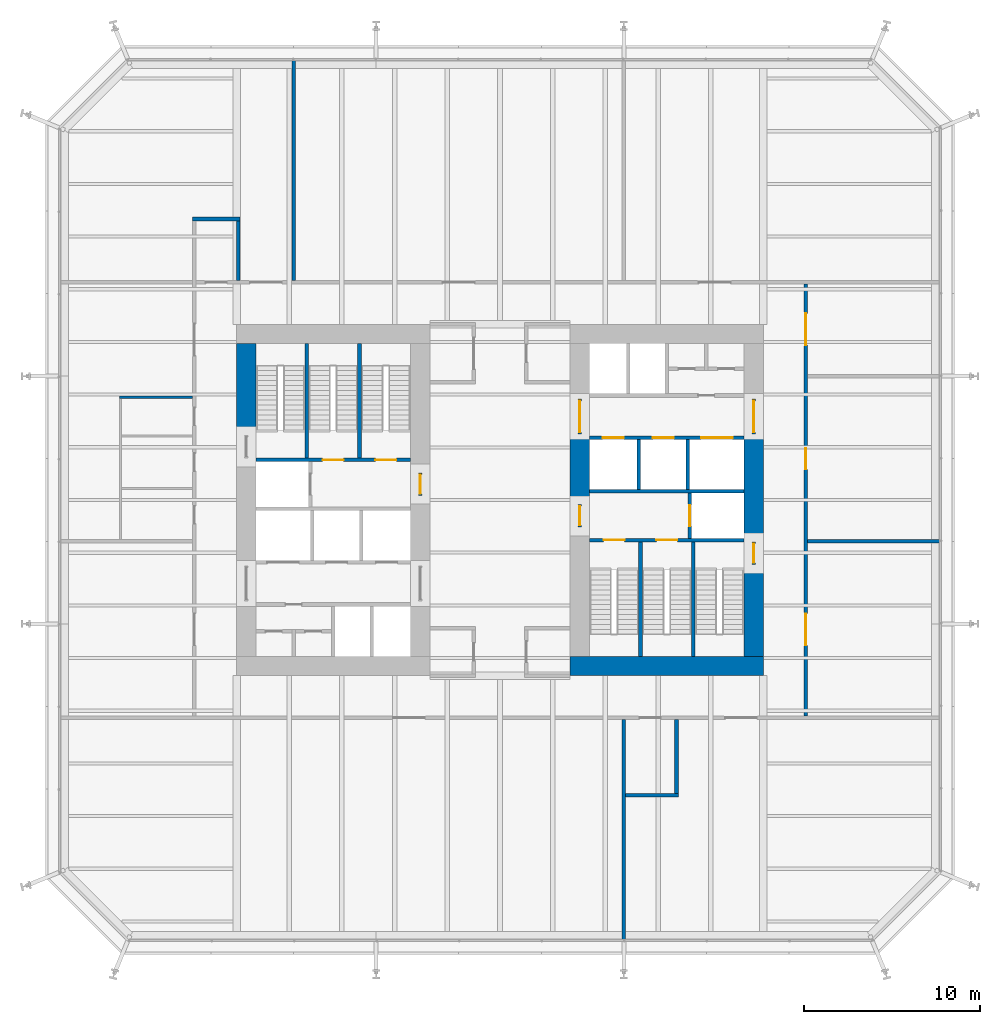
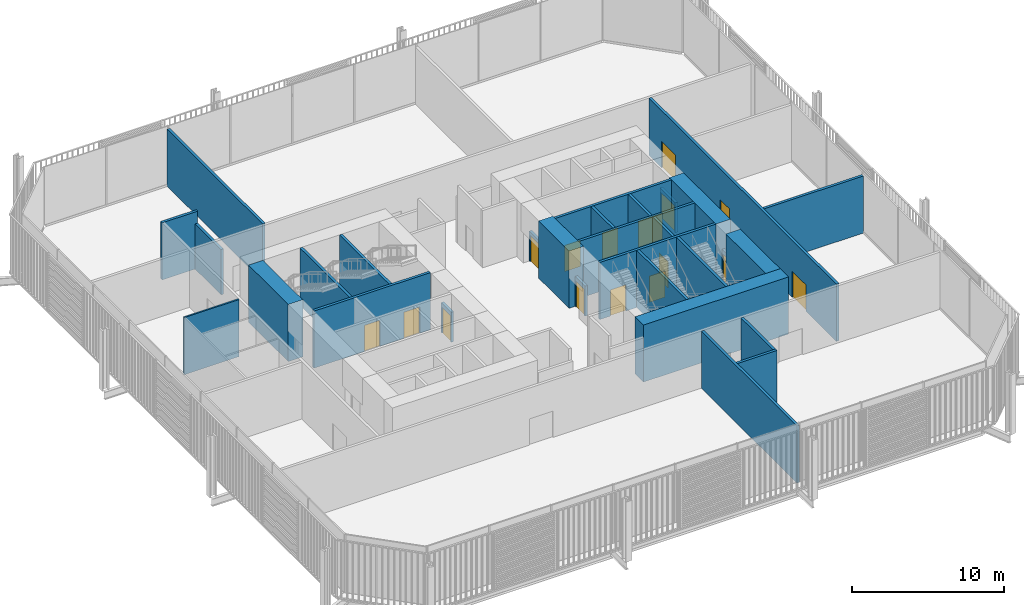
# One storey, part 19 of 22: 30 walls, 16 doors, 16 openings.
"""IFC4 building model written with IfcOpenShell, lengths in metres."""

from ifc_helpers import new_model, si_unit, direction, frame, frame_2d, origin, place, context, subcontext, project, spatial, rectangle, extrude, material, layer, layer_set, type_object, element, fill, save


model = new_model("IFC4")

# Units and contexts
model_context = context("Model", 3, precision=1e-05, world=origin(), true_north=direction((0.0, 1.0)))
body_context = subcontext(model_context, "Body", "Model", "MODEL_VIEW")
ifc_project = project(units=[si_unit("LENGTHUNIT", "METRE"), si_unit("AREAUNIT", "SQUARE_METRE"), si_unit("VOLUMEUNIT", "CUBIC_METRE"), si_unit("PLANEANGLEUNIT", "RADIAN"), si_unit("MASSUNIT", "GRAM", prefix="KILO")], contexts=[model_context])

# Site, building, storey
site_placement = place(None, origin())
site = spatial("IfcSite", under=ifc_project, at=site_placement, CompositionType="ELEMENT")
building_placement = place(site_placement, origin())
building = spatial("IfcBuilding", under=site, at=building_placement, Name="Millrace Tower", CompositionType="ELEMENT")
storey_placement = place(building_placement, frame((0.0, 0.0, 49.699951171875)))
storey = spatial("IfcBuildingStorey", under=building, at=storey_placement, Name="L11", CompositionType="ELEMENT", Elevation=49.699951171875)

# Walls
ifc_material_1 = material(Name="Concrete C80", Category="concrete")
ifc_layer_1 = layer(ifc_material_1, 1.10009765625)
ifc_layer_set_1 = layer_set([ifc_layer_1], Name="Concrete C80")
wall_type_1 = type_object("IfcWallType", Name="Core wall 1100 Concrete C80", PredefinedType="SHEAR", material=ifc_layer_set_1)
wall_1_placement = place(storey_placement, frame((-14.449951171875, 3.679931640625, 0.0), z_axis=(0.0, 0.0, 1.0), x_axis=(0.0, 1.0, 0.0)))
element("IfcWall", 1, at=wall_1_placement, inside=storey, type_object=wall_type_1, Name="Core wall W L11", PredefinedType="SHEAR", context=body_context, shape_type="SweptSolid", body=[
    extrude(rectangle(XDim=5.219970703125, YDim=1.10009765625, at=frame_2d((2.60986328125, 0.0))), origin(), (0.0, 0.0, 1.0), 4.574951171875),
])
wall_2_placement = place(storey_placement, frame((15.0, -9.449951171875, 0.0), z_axis=(0.0, 0.0, 1.0), x_axis=(-1.0, 0.0, 0.0)))
element("IfcWall", 2, at=wall_2_placement, inside=storey, type_object=wall_type_1, Name="Core wall E L11", PredefinedType="SHEAR", context=body_context, shape_type="SweptSolid", body=[
    extrude(rectangle(XDim=11.0, YDim=1.10009765625, at=frame_2d((5.5, 0.0))), origin(), (0.0, 0.0, 1.0), 4.574951171875),
])
wall_3_placement = place(storey_placement, frame((14.449951171875, 3.75, 0.0), z_axis=(0.0, 0.0, 1.0), x_axis=(0.0, -1.0, 0.0)))
element("IfcWall", 3, at=wall_3_placement, inside=storey, type_object=wall_type_1, Name="Core wall E L11", PredefinedType="SHEAR", context=body_context, shape_type="SweptSolid", body=[
    extrude(rectangle(XDim=6.1298828125, YDim=1.10009765625, at=frame_2d((3.06494140625, 0.0))), origin(), (0.0, 0.0, 1.0), 4.574951171875),
])
wall_4_placement = place(storey_placement, frame((14.449951171875, -3.679931640625, 0.0), z_axis=(0.0, 0.0, 1.0), x_axis=(0.0, -1.0, 0.0)))
element("IfcWall", 4, at=wall_4_placement, inside=storey, type_object=wall_type_1, Name="Core wall E L11", PredefinedType="SHEAR", context=body_context, shape_type="SweptSolid", body=[
    extrude(rectangle(XDim=5.219970703125, YDim=1.10009765625, at=frame_2d((2.60986328125, 0.0))), origin(), (0.0, 0.0, 1.0), 4.574951171875),
])
wall_5_placement = place(storey_placement, frame((4.550048828125, 3.75, 0.0), z_axis=(0.0, 0.0, 1.0), x_axis=(0.0, -1.0, 0.0)))
element("IfcWall", 5, at=wall_5_placement, inside=storey, type_object=wall_type_1, Name="Core wall E L11", PredefinedType="SHEAR", context=body_context, shape_type="SweptSolid", body=[
    extrude(rectangle(XDim=4.0, YDim=1.10009765625, at=frame_2d((2.0, 0.0))), origin(), (0.0, 0.0, 1.0), 4.574951171875),
])
ifc_material_2 = material(Name="Masonry partition, fire-rated", Category="masonry")
ifc_layer_2 = layer(ifc_material_2, 0.199951171875)
ifc_layer_set_2 = layer_set([ifc_layer_2], Name="Masonry partition, fire-rated")
wall_type_2 = type_object("IfcWallType", Name="Corridor wall 200", PredefinedType="PARTITIONING", material=ifc_layer_set_2)
wall_6_placement = place(storey_placement, frame((7.14990234375, -16.800048828125, 0.0), z_axis=(0.0, 0.0, 1.0), x_axis=(1.0, 0.0, 0.0)))
element("IfcWall", 6, at=wall_6_placement, inside=storey, type_object=wall_type_2, Name="Corridor wall L11", PredefinedType="PARTITIONING", context=body_context, shape_type="SweptSolid", body=[
    extrude(rectangle(XDim=3.0, YDim=0.199951171875, at=frame_2d((1.5, 0.0))), origin(), (0.0, 0.0, 1.0), 4.574951171875),
])
wall_7_placement = place(storey_placement, frame((17.5, -2.35009765625, 0.0), z_axis=(0.0, 0.0, 1.0), x_axis=(1.0, 0.0, 0.0)))
element("IfcWall", 7, at=wall_7_placement, inside=storey, type_object=wall_type_2, Name="Corridor wall L11", PredefinedType="PARTITIONING", context=body_context, shape_type="SweptSolid", body=[
    extrude(rectangle(XDim=7.530029296875, YDim=0.199951171875, at=frame_2d((3.76513671875, 0.0))), origin(), (0.0, 0.0, 1.0), 4.574951171875),
])
wall_8_placement = place(storey_placement, frame((-17.5, 16.0, 0.0), z_axis=(0.0, 0.0, 1.0), x_axis=(1.0, 0.0, 0.0)))
element("IfcWall", 8, at=wall_8_placement, inside=storey, type_object=wall_type_2, Name="Corridor wall L11", PredefinedType="PARTITIONING", context=body_context, shape_type="SweptSolid", body=[
    extrude(rectangle(XDim=2.699951171875, YDim=0.199951171875, at=frame_2d((1.35009765625, 0.0))), origin(), (0.0, 0.0, 1.0), 4.574951171875),
])

# Wall, openings, doors
wall_9_placement = place(storey_placement, frame((17.39990234375, -12.300048828125, 0.0), z_axis=(0.0, 0.0, 1.0), x_axis=(0.0, 1.0, 0.0)))
wall_9 = element("IfcWall", 9, at=wall_9_placement, inside=storey, type_object=wall_type_2, Name="Corridor wall L11", PredefinedType="PARTITIONING", context=body_context, shape_type="SweptSolid", body=[
    extrude(rectangle(XDim=24.60009765625, YDim=0.199951171875, at=frame_2d((12.300048828125, 0.0))), origin(), (0.0, 0.0, 1.0), 4.574951171875),
])
opening_1_placement = place(wall_9_placement, frame((4.02490234375, 0.0, 0.0)))
opening_1 = element("IfcOpeningElement", 10, at=opening_1_placement, cuts=wall_9, Name="Opening 11-P012", PredefinedType="OPENING", context=body_context, shape_type="SweptSolid", body=[
    extrude(rectangle(XDim=1.800048828125, YDim=2.10009765625, at=frame_2d((0.89990234375, 1.050048828125))), frame((0.0, 0.10986328125, 0.0), z_axis=(0.0, -1.0, 0.0), x_axis=(1.0, 0.0, 0.0)), (0.0, 0.0, 1.0), 0.219970703125),
])
opening_2_placement = place(wall_9_placement, frame((14.050048828125, 0.0, 0.0)))
opening_2 = element("IfcOpeningElement", 11, at=opening_2_placement, cuts=wall_9, Name="Opening 11-P013", PredefinedType="OPENING", context=body_context, shape_type="SweptSolid", body=[
    extrude(rectangle(XDim=1.199951171875, YDim=2.10009765625, at=frame_2d((0.60009765625, 1.050048828125))), frame((0.0, 0.10986328125, 0.0), z_axis=(0.0, -1.0, 0.0), x_axis=(1.0, 0.0, 0.0)), (0.0, 0.0, 1.0), 0.219970703125),
])
opening_3_placement = place(wall_9_placement, frame((21.125, 0.0, 0.0)))
opening_3 = element("IfcOpeningElement", 12, at=opening_3_placement, cuts=wall_9, Name="Opening 11-P014", PredefinedType="OPENING", context=body_context, shape_type="SweptSolid", body=[
    extrude(rectangle(XDim=1.800048828125, YDim=2.10009765625, at=frame_2d((0.89990234375, 1.050048828125))), frame((0.0, 0.10986328125, 0.0), z_axis=(0.0, -1.0, 0.0), x_axis=(1.0, 0.0, 0.0)), (0.0, 0.0, 1.0), 0.219970703125),
])
ifc_material_3 = material(Name="Steel door set, fire-rated", Category="steel")
door_type_1 = type_object("IfcDoorType", Name="Corridor door 1200 x 2100", OperationType="SINGLE_SWING_LEFT", PredefinedType="DOOR", material=ifc_material_3)
door_1_placement = place(opening_2_placement, frame((1.199951171875, 0.0, 0.0), z_axis=(0.0, 0.0, 1.0), x_axis=(-1.0, 0.0, 0.0)))
door_1 = element("IfcDoor", 13, at=door_1_placement, inside=storey, type_object=door_type_1, Name="Door 11-P013", OperationType="SINGLE_SWING_LEFT", OverallHeight=2.10009765625, OverallWidth=1.199951171875, PredefinedType="DOOR", context=body_context, shape_type="SweptSolid", body=[
    extrude(rectangle(XDim=1.199951171875, YDim=2.10009765625, at=frame_2d((0.60009765625, 1.050048828125))), frame((0.0, 0.02490234375, 0.0), z_axis=(0.0, -1.0, 0.0), x_axis=(1.0, 0.0, 0.0)), (0.0, 0.0, 1.0), 0.050048828125),
])
fill(opening_2, door_1)
ifc_material_4 = material(Name="Steel door set, fire-rated", Category="steel")
door_type_2 = type_object("IfcDoorType", Name="Data hall door 1800 x 2100", OperationType="DOUBLE_DOOR_SINGLE_SWING", PredefinedType="DOOR", material=ifc_material_4)
door_2_placement = place(opening_1_placement, frame((1.800048828125, 0.0, 0.0), z_axis=(0.0, 0.0, 1.0), x_axis=(-1.0, 0.0, 0.0)))
door_2 = element("IfcDoor", 14, at=door_2_placement, inside=storey, type_object=door_type_2, Name="Door 11-P012", OperationType="DOUBLE_DOOR_SINGLE_SWING", OverallHeight=2.10009765625, OverallWidth=1.800048828125, PredefinedType="DOOR", context=body_context, shape_type="SweptSolid", body=[
    extrude(rectangle(XDim=1.800048828125, YDim=2.10009765625, at=frame_2d((0.89990234375, 1.050048828125))), frame((0.0, 0.02490234375, 0.0), z_axis=(0.0, -1.0, 0.0), x_axis=(1.0, 0.0, 0.0)), (0.0, 0.0, 1.0), 0.050048828125),
])
fill(opening_1, door_2)
door_3_placement = place(opening_3_placement, frame((1.800048828125, 0.0, 0.0), z_axis=(0.0, 0.0, 1.0), x_axis=(-1.0, 0.0, 0.0)))
door_3 = element("IfcDoor", 15, at=door_3_placement, inside=storey, type_object=door_type_2, Name="Door 11-P014", OperationType="DOUBLE_DOOR_SINGLE_SWING", OverallHeight=2.10009765625, OverallWidth=1.800048828125, PredefinedType="DOOR", context=body_context, shape_type="SweptSolid", body=[
    extrude(rectangle(XDim=1.800048828125, YDim=2.10009765625, at=frame_2d((0.89990234375, 1.050048828125))), frame((0.0, 0.02490234375, 0.0), z_axis=(0.0, -1.0, 0.0), x_axis=(1.0, 0.0, 0.0)), (0.0, 0.0, 1.0), 0.050048828125),
])
fill(opening_3, door_3)

# Walls
wall_10_placement = place(storey_placement, frame((10.050048828125, -16.699951171875, 0.0), z_axis=(0.0, 0.0, 1.0), x_axis=(0.0, 1.0, 0.0)))
element("IfcWall", 16, at=wall_10_placement, inside=storey, type_object=wall_type_2, Name="Corridor wall L11", PredefinedType="PARTITIONING", context=body_context, shape_type="SweptSolid", body=[
    extrude(rectangle(XDim=4.199951171875, YDim=0.199951171875, at=frame_2d((2.10009765625, 0.0))), origin(), (0.0, 0.0, 1.0), 4.574951171875),
])
for number, where, z_axis, x_axis, name in (
    (17, (7.050048828125, -25.030029296875, 0.0), (0.0, 0.0, 1.0), (0.0, 1.0, 0.0), "Corridor wall L11"),
    (18, (-11.75, 12.5, 0.0), (0.0, 0.0, 1.0), (0.0, 1.0, 0.0), "Corridor wall L11"),
):
    element("IfcWall", number, at=place(storey_placement, frame(where, z_axis=z_axis, x_axis=x_axis)), inside=storey, type_object=wall_type_2, Name=name, PredefinedType="PARTITIONING", context=body_context, shape_type="SweptSolid", body=[
        extrude(rectangle(XDim=12.530029296875, YDim=0.199951171875, at=frame_2d((6.26513671875, 0.0))), origin(), (0.0, 0.0, 1.0), 4.574951171875),
    ])
wall_11_placement = place(storey_placement, frame((-14.89990234375, 12.5, 0.0), z_axis=(0.0, 0.0, 1.0), x_axis=(0.0, 1.0, 0.0)))
element("IfcWall", 19, at=wall_11_placement, inside=storey, type_object=wall_type_2, Name="Corridor wall L11", PredefinedType="PARTITIONING", context=body_context, shape_type="SweptSolid", body=[
    extrude(rectangle(XDim=3.39990234375, YDim=0.199951171875, at=frame_2d((1.699951171875, 0.0))), origin(), (0.0, 0.0, 1.0), 3.627685546875),
])

# Wall, openings, doors
ifc_material_5 = material(Name="Masonry partition, fire-rated", Category="masonry")
ifc_layer_3 = layer(ifc_material_5, 0.199951171875)
ifc_layer_set_3 = layer_set([ifc_layer_3], Name="Masonry partition, fire-rated")
wall_type_3 = type_object("IfcWallType", Name="Lift shaft wall 200", PredefinedType="PARTITIONING", material=ifc_layer_set_3)
wall_12_placement = place(storey_placement, frame((13.89990234375, 3.550048828125, 0.0), z_axis=(0.0, 0.0, 1.0), x_axis=(-1.0, 0.0, 0.0)))
wall_12 = element("IfcWall", 20, at=wall_12_placement, inside=storey, type_object=wall_type_3, Name="Lift shaft wall E L11", PredefinedType="PARTITIONING", context=body_context, shape_type="SweptSolid", body=[
    extrude(rectangle(XDim=8.7998046875, YDim=0.199951171875, at=frame_2d((4.39990234375, 0.0))), origin(), (0.0, 0.0, 1.0), 4.574951171875),
])
opening_4_placement = place(wall_12_placement, frame((0.64990234375, 0.0, 0.0)))
opening_4 = element("IfcOpeningElement", 21, at=opening_4_placement, cuts=wall_12, Name="Opening 11-LD13", PredefinedType="OPENING", context=body_context, shape_type="SweptSolid", body=[
    extrude(rectangle(XDim=1.800048828125, YDim=2.10009765625, at=frame_2d((0.89990234375, 1.050048828125))), frame((0.0, 0.10986328125, 0.0), z_axis=(0.0, -1.0, 0.0), x_axis=(1.0, 0.0, 0.0)), (0.0, 0.0, 1.0), 0.219970703125),
])
opening_5_placement = place(wall_12_placement, frame((4.0, 0.0, 0.0)))
opening_5 = element("IfcOpeningElement", 22, at=opening_5_placement, cuts=wall_12, Name="Opening 11-LD14", PredefinedType="OPENING", context=body_context, shape_type="SweptSolid", body=[
    extrude(rectangle(XDim=1.199951171875, YDim=2.10009765625, at=frame_2d((0.60009765625, 1.050048828125))), frame((0.0, 0.10986328125, 0.0), z_axis=(0.0, -1.0, 0.0), x_axis=(1.0, 0.0, 0.0)), (0.0, 0.0, 1.0), 0.219970703125),
])
opening_6_placement = place(wall_12_placement, frame((6.85009765625, 0.0, 0.0)))
opening_6 = element("IfcOpeningElement", 23, at=opening_6_placement, cuts=wall_12, Name="Opening 11-LD15", PredefinedType="OPENING", context=body_context, shape_type="SweptSolid", body=[
    extrude(rectangle(XDim=1.199951171875, YDim=2.10009765625, at=frame_2d((0.60009765625, 1.050048828125))), frame((0.0, 0.10986328125, 0.0), z_axis=(0.0, -1.0, 0.0), x_axis=(1.0, 0.0, 0.0)), (0.0, 0.0, 1.0), 0.219970703125),
])
ifc_material_6 = material(Name="Stainless steel, fire-rated", Category="steel")
door_type_3 = type_object("IfcDoorType", Name="Lift landing door 1200 x 2100", OperationType="DOUBLE_DOOR_SLIDING", PredefinedType="DOOR", material=ifc_material_6)
door_4_placement = place(opening_5_placement, origin())
door_4 = element("IfcDoor", 24, at=door_4_placement, inside=storey, type_object=door_type_3, Name="Lift landing door LF14 L11", OperationType="DOUBLE_DOOR_SLIDING", OverallHeight=2.10009765625, OverallWidth=1.199951171875, PredefinedType="DOOR", context=body_context, shape_type="SweptSolid", body=[
    extrude(rectangle(XDim=1.199951171875, YDim=2.10009765625, at=frame_2d((0.60009765625, 1.050048828125))), frame((0.0, 0.02490234375, 0.0), z_axis=(0.0, -1.0, 0.0), x_axis=(1.0, 0.0, 0.0)), (0.0, 0.0, 1.0), 0.050048828125),
])
fill(opening_5, door_4)
door_5_placement = place(opening_6_placement, origin())
door_5 = element("IfcDoor", 25, at=door_5_placement, inside=storey, type_object=door_type_3, Name="Lift landing door LF15 L11", OperationType="DOUBLE_DOOR_SLIDING", OverallHeight=2.10009765625, OverallWidth=1.199951171875, PredefinedType="DOOR", context=body_context, shape_type="SweptSolid", body=[
    extrude(rectangle(XDim=1.199951171875, YDim=2.10009765625, at=frame_2d((0.60009765625, 1.050048828125))), frame((0.0, 0.02490234375, 0.0), z_axis=(0.0, -1.0, 0.0), x_axis=(1.0, 0.0, 0.0)), (0.0, 0.0, 1.0), 0.050048828125),
])
fill(opening_6, door_5)
ifc_material_7 = material(Name="Stainless steel, fire-rated", Category="steel")
door_type_4 = type_object("IfcDoorType", Name="Lift landing door 1800 x 2100", OperationType="DOUBLE_DOOR_SLIDING", PredefinedType="DOOR", material=ifc_material_7)
door_6_placement = place(opening_4_placement, origin())
door_6 = element("IfcDoor", 26, at=door_6_placement, inside=storey, type_object=door_type_4, Name="Lift landing door LF13 L11", OperationType="DOUBLE_DOOR_SLIDING", OverallHeight=2.10009765625, OverallWidth=1.800048828125, PredefinedType="DOOR", context=body_context, shape_type="SweptSolid", body=[
    extrude(rectangle(XDim=1.800048828125, YDim=2.10009765625, at=frame_2d((0.89990234375, 1.050048828125))), frame((0.0, 0.02490234375, 0.0), z_axis=(0.0, -1.0, 0.0), x_axis=(1.0, 0.0, 0.0)), (0.0, 0.0, 1.0), 0.050048828125),
])
fill(opening_4, door_6)

# Wall
wall_13_placement = place(storey_placement, frame((13.89990234375, 0.5, 0.0), z_axis=(0.0, 0.0, 1.0), x_axis=(-1.0, 0.0, 0.0)))
element("IfcWall", 27, at=wall_13_placement, inside=storey, type_object=wall_type_3, Name="Lift shaft wall E L11", PredefinedType="PARTITIONING", context=body_context, shape_type="SweptSolid", body=[
    extrude(rectangle(XDim=8.7998046875, YDim=0.199951171875, at=frame_2d((4.39990234375, 0.0))), origin(), (0.0, 0.0, 1.0), 4.574951171875),
])

# Wall, opening, door
wall_14_placement = place(storey_placement, frame((10.800048828125, 0.39990234375, 0.0), z_axis=(0.0, 0.0, 1.0), x_axis=(0.0, -1.0, 0.0)))
wall_14 = element("IfcWall", 28, at=wall_14_placement, inside=storey, type_object=wall_type_3, Name="Lift shaft wall E L11", PredefinedType="PARTITIONING", context=body_context, shape_type="SweptSolid", body=[
    extrude(rectangle(XDim=2.579833984375, YDim=0.199951171875, at=frame_2d((1.2900390625, 0.0))), origin(), (0.0, 0.0, 1.0), 4.574951171875),
])
opening_7_placement = place(wall_14_placement, frame((0.68994140625, 0.0, 0.0)))
opening_7 = element("IfcOpeningElement", 29, at=opening_7_placement, cuts=wall_14, Name="Opening 11-LD16", PredefinedType="OPENING", context=body_context, shape_type="SweptSolid", body=[
    extrude(rectangle(XDim=1.199951171875, YDim=2.10009765625, at=frame_2d((0.60009765625, 1.050048828125))), frame((0.0, 0.10986328125, 0.0), z_axis=(0.0, -1.0, 0.0), x_axis=(1.0, 0.0, 0.0)), (0.0, 0.0, 1.0), 0.219970703125),
])
door_7_placement = place(opening_7_placement, origin())
door_7 = element("IfcDoor", 30, at=door_7_placement, inside=storey, type_object=door_type_3, Name="Lift landing door LF16 L11", OperationType="DOUBLE_DOOR_SLIDING", OverallHeight=2.10009765625, OverallWidth=1.199951171875, PredefinedType="DOOR", context=body_context, shape_type="SweptSolid", body=[
    extrude(rectangle(XDim=1.199951171875, YDim=2.10009765625, at=frame_2d((0.60009765625, 1.050048828125))), frame((0.0, 0.02490234375, 0.0), z_axis=(0.0, -1.0, 0.0), x_axis=(1.0, 0.0, 0.0)), (0.0, 0.0, 1.0), 0.050048828125),
])
fill(opening_7, door_7)

# Walls
for number, where, z_axis, x_axis, name in (
    (31, (10.699951171875, 3.449951171875, 0.0), (0.0, 0.0, 1.0), (0.0, -1.0, 0.0), "Lift shaft wall E L11"),
    (32, (7.89990234375, 3.449951171875, 0.0), (0.0, 0.0, 1.0), (0.0, -1.0, 0.0), "Lift shaft wall E L11"),
):
    element("IfcWall", number, at=place(storey_placement, frame(where, z_axis=z_axis, x_axis=x_axis)), inside=storey, type_object=wall_type_3, Name=name, PredefinedType="PARTITIONING", context=body_context, shape_type="SweptSolid", body=[
        extrude(rectangle(XDim=2.849853515625, YDim=0.199951171875, at=frame_2d((1.4248046875, 0.0))), origin(), (0.0, 0.0, 1.0), 4.574951171875),
    ])

# Wall, opening, door
ifc_material_8 = material(Name="Masonry partition, fire-rated", Category="masonry")
ifc_layer_4 = layer(ifc_material_8, 0.199951171875)
ifc_layer_set_4 = layer_set([ifc_layer_4], Name="Masonry partition, fire-rated")
wall_type_4 = type_object("IfcWallType", Name="Lobby wall 200", PredefinedType="PARTITIONING", material=ifc_layer_set_4)
wall_15_placement = place(storey_placement, frame((-4.550048828125, 0.25, 0.0), z_axis=(0.0, 0.0, 1.0), x_axis=(0.0, 1.0, 0.0)))
wall_15 = element("IfcWall", 33, at=wall_15_placement, inside=storey, type_object=wall_type_4, Name="Lobby wall W L11", PredefinedType="PARTITIONING", context=body_context, shape_type="SweptSolid", body=[
    extrude(rectangle(XDim=1.300048828125, YDim=0.199951171875, at=frame_2d((0.64990234375, 0.0))), origin(), (0.0, 0.0, 1.0), 2.400146484375),
])
opening_8_placement = place(wall_15_placement, frame((0.10009765625, 0.0, 0.0)))
opening_8 = element("IfcOpeningElement", 34, at=opening_8_placement, cuts=wall_15, Name="Opening 11-C004", PredefinedType="OPENING", context=body_context, shape_type="SweptSolid", body=[
    extrude(rectangle(XDim=1.10009765625, YDim=2.10009765625, at=frame_2d((0.550048828125, 1.050048828125))), frame((0.0, 0.10986328125, 0.0), z_axis=(0.0, -1.0, 0.0), x_axis=(1.0, 0.0, 0.0)), (0.0, 0.0, 1.0), 0.219970703125),
])
ifc_material_9 = material(Name="Steel door, fire-rated", Category="steel")
door_type_5 = type_object("IfcDoorType", Name="Lobby door 1100 x 2100", OperationType="SINGLE_SWING_LEFT", PredefinedType="DOOR", material=ifc_material_9)
door_8_placement = place(opening_8_placement, origin())
door_8 = element("IfcDoor", 35, at=door_8_placement, inside=storey, type_object=door_type_5, Name="Lobby door 11-C004", OperationType="SINGLE_SWING_LEFT", OverallHeight=2.10009765625, OverallWidth=1.10009765625, PredefinedType="DOOR", context=body_context, shape_type="SweptSolid", body=[
    extrude(rectangle(XDim=1.10009765625, YDim=2.10009765625, at=frame_2d((0.550048828125, 1.050048828125))), frame((0.0, 0.02490234375, 0.0), z_axis=(0.0, -1.0, 0.0), x_axis=(1.0, 0.0, 0.0)), (0.0, 0.0, 1.0), 0.050048828125),
])
fill(opening_8, door_8)

wall_16_placement = place(storey_placement, frame((14.449951171875, 5.75, 0.0), z_axis=(0.0, 0.0, 1.0), x_axis=(0.0, -1.0, 0.0)))
wall_16 = element("IfcWall", 36, at=wall_16_placement, inside=storey, type_object=wall_type_4, Name="Lobby wall E L11", PredefinedType="PARTITIONING", context=body_context, shape_type="SweptSolid", body=[
    extrude(rectangle(XDim=2.0, YDim=0.199951171875, at=frame_2d((1.0, 0.0))), origin(), (0.0, 0.0, 1.0), 2.400146484375),
])
opening_9_placement = place(wall_16_placement, frame((0.10009765625, 0.0, 0.0)))
opening_9 = element("IfcOpeningElement", 37, at=opening_9_placement, cuts=wall_16, Name="Opening 11-C010", PredefinedType="OPENING", context=body_context, shape_type="SweptSolid", body=[
    extrude(rectangle(XDim=1.800048828125, YDim=2.10009765625, at=frame_2d((0.89990234375, 1.050048828125))), frame((0.0, 0.10986328125, 0.0), z_axis=(0.0, -1.0, 0.0), x_axis=(1.0, 0.0, 0.0)), (0.0, 0.0, 1.0), 0.219970703125),
])
ifc_material_10 = material(Name="Steel door, fire-rated", Category="steel")
door_type_6 = type_object("IfcDoorType", Name="Lobby door 1800 x 2100", OperationType="DOUBLE_DOOR_SINGLE_SWING", PredefinedType="DOOR", material=ifc_material_10)
door_9_placement = place(opening_9_placement, origin())
door_9 = element("IfcDoor", 38, at=door_9_placement, inside=storey, type_object=door_type_6, Name="Lobby door 11-C010", OperationType="DOUBLE_DOOR_SINGLE_SWING", OverallHeight=2.10009765625, OverallWidth=1.800048828125, PredefinedType="DOOR", context=body_context, shape_type="SweptSolid", body=[
    extrude(rectangle(XDim=1.800048828125, YDim=2.10009765625, at=frame_2d((0.89990234375, 1.050048828125))), frame((0.0, 0.02490234375, 0.0), z_axis=(0.0, -1.0, 0.0), x_axis=(1.0, 0.0, 0.0)), (0.0, 0.0, 1.0), 0.050048828125),
])
fill(opening_9, door_9)

wall_17_placement = place(storey_placement, frame((4.550048828125, 5.75, 0.0), z_axis=(0.0, 0.0, 1.0), x_axis=(0.0, -1.0, 0.0)))
wall_17 = element("IfcWall", 39, at=wall_17_placement, inside=storey, type_object=wall_type_4, Name="Lobby wall E L11", PredefinedType="PARTITIONING", context=body_context, shape_type="SweptSolid", body=[
    extrude(rectangle(XDim=2.0, YDim=0.199951171875, at=frame_2d((1.0, 0.0))), origin(), (0.0, 0.0, 1.0), 2.400146484375),
])
opening_10_placement = place(wall_17_placement, frame((0.10009765625, 0.0, 0.0)))
opening_10 = element("IfcOpeningElement", 40, at=opening_10_placement, cuts=wall_17, Name="Opening 11-C012", PredefinedType="OPENING", context=body_context, shape_type="SweptSolid", body=[
    extrude(rectangle(XDim=1.800048828125, YDim=2.10009765625, at=frame_2d((0.89990234375, 1.050048828125))), frame((0.0, 0.10986328125, 0.0), z_axis=(0.0, -1.0, 0.0), x_axis=(1.0, 0.0, 0.0)), (0.0, 0.0, 1.0), 0.219970703125),
])
door_10_placement = place(opening_10_placement, origin())
door_10 = element("IfcDoor", 41, at=door_10_placement, inside=storey, type_object=door_type_6, Name="Lobby door 11-C012", OperationType="DOUBLE_DOOR_SINGLE_SWING", OverallHeight=2.10009765625, OverallWidth=1.800048828125, PredefinedType="DOOR", context=body_context, shape_type="SweptSolid", body=[
    extrude(rectangle(XDim=1.800048828125, YDim=2.10009765625, at=frame_2d((0.89990234375, 1.050048828125))), frame((0.0, 0.02490234375, 0.0), z_axis=(0.0, -1.0, 0.0), x_axis=(1.0, 0.0, 0.0)), (0.0, 0.0, 1.0), 0.050048828125),
])
fill(opening_10, door_10)

wall_18_placement = place(storey_placement, frame((4.550048828125, -0.25, 0.0), z_axis=(0.0, 0.0, 1.0), x_axis=(0.0, -1.0, 0.0)))
wall_18 = element("IfcWall", 42, at=wall_18_placement, inside=storey, type_object=wall_type_4, Name="Lobby wall E L11", PredefinedType="PARTITIONING", context=body_context, shape_type="SweptSolid", body=[
    extrude(rectangle(XDim=1.300048828125, YDim=0.199951171875, at=frame_2d((0.64990234375, 0.0))), origin(), (0.0, 0.0, 1.0), 2.400146484375),
])
opening_11_placement = place(wall_18_placement, frame((0.10009765625, 0.0, 0.0)))
opening_11 = element("IfcOpeningElement", 43, at=opening_11_placement, cuts=wall_18, Name="Opening 11-C013", PredefinedType="OPENING", context=body_context, shape_type="SweptSolid", body=[
    extrude(rectangle(XDim=1.10009765625, YDim=2.10009765625, at=frame_2d((0.550048828125, 1.050048828125))), frame((0.0, 0.10986328125, 0.0), z_axis=(0.0, -1.0, 0.0), x_axis=(1.0, 0.0, 0.0)), (0.0, 0.0, 1.0), 0.219970703125),
])
door_11_placement = place(opening_11_placement, origin())
door_11 = element("IfcDoor", 44, at=door_11_placement, inside=storey, type_object=door_type_5, Name="Lobby door 11-C013", OperationType="SINGLE_SWING_RIGHT", OverallHeight=2.10009765625, OverallWidth=1.10009765625, PredefinedType="DOOR", context=body_context, shape_type="SweptSolid", body=[
    extrude(rectangle(XDim=1.10009765625, YDim=2.10009765625, at=frame_2d((0.550048828125, 1.050048828125))), frame((0.0, 0.02490234375, 0.0), z_axis=(0.0, -1.0, 0.0), x_axis=(1.0, 0.0, 0.0)), (0.0, 0.0, 1.0), 0.050048828125),
])
fill(opening_11, door_11)

# Wall
ifc_material_11 = material(Name="Gypsum board partition")
ifc_layer_5 = layer(ifc_material_11, 0.1201171875)
ifc_layer_set_5 = layer_set([ifc_layer_5], Name="Gypsum board partition")
wall_type_5 = type_object("IfcWallType", Name="Partition wall 120", PredefinedType="PARTITIONING", material=ifc_layer_set_5)
wall_19_placement = place(storey_placement, frame((-21.659912109375, 5.85009765625, 0.0), z_axis=(0.0, 0.0, 1.0), x_axis=(1.0, 0.0, 0.0)))
element("IfcWall", 45, at=wall_19_placement, inside=storey, type_object=wall_type_5, Name="Partition wall L11", PredefinedType="PARTITIONING", context=body_context, shape_type="SweptSolid", body=[
    extrude(rectangle(XDim=4.159912109375, YDim=0.1201171875, at=frame_2d((2.080078125, 0.0))), origin(), (0.0, 0.0, 1.0), 4.574951171875),
])

# Wall, openings, doors
ifc_material_12 = material(Name="Concrete C40", Category="concrete")
ifc_layer_6 = layer(ifc_material_12, 0.199951171875)
ifc_layer_set_6 = layer_set([ifc_layer_6], Name="Concrete C40")
wall_type_6 = type_object("IfcWallType", Name="Stair enclosure wall 200 Concrete C40", PredefinedType="SHEAR", material=ifc_layer_set_6)
wall_20_placement = place(storey_placement, frame((-13.89990234375, 2.280029296875, 0.0), z_axis=(0.0, 0.0, 1.0), x_axis=(1.0, 0.0, 0.0)))
wall_20 = element("IfcWall", 46, at=wall_20_placement, inside=storey, type_object=wall_type_6, Name="Stair enclosure wall W L11", PredefinedType="SHEAR", context=body_context, shape_type="SweptSolid", body=[
    extrude(rectangle(XDim=8.7998046875, YDim=0.199951171875, at=frame_2d((4.39990234375, 0.0))), origin(), (0.0, 0.0, 1.0), 4.574951171875),
])
opening_12_placement = place(wall_20_placement, frame((3.800048828125, 0.0, 0.0)))
opening_12 = element("IfcOpeningElement", 47, at=opening_12_placement, cuts=wall_20, Name="Opening 11-C008", PredefinedType="OPENING", context=body_context, shape_type="SweptSolid", body=[
    extrude(rectangle(XDim=1.199951171875, YDim=2.10009765625, at=frame_2d((0.60009765625, 1.050048828125))), frame((0.0, 0.10986328125, 0.0), z_axis=(0.0, -1.0, 0.0), x_axis=(1.0, 0.0, 0.0)), (0.0, 0.0, 1.0), 0.219970703125),
])
opening_13_placement = place(wall_20_placement, frame((6.800048828125, 0.0, 0.0)))
opening_13 = element("IfcOpeningElement", 48, at=opening_13_placement, cuts=wall_20, Name="Opening 11-C009", PredefinedType="OPENING", context=body_context, shape_type="SweptSolid", body=[
    extrude(rectangle(XDim=1.199951171875, YDim=2.10009765625, at=frame_2d((0.60009765625, 1.050048828125))), frame((0.0, 0.10986328125, 0.0), z_axis=(0.0, -1.0, 0.0), x_axis=(1.0, 0.0, 0.0)), (0.0, 0.0, 1.0), 0.219970703125),
])
ifc_material_13 = material(Name="Steel door, fire-rated", Category="steel")
door_type_7 = type_object("IfcDoorType", Name="Stair door 1200 x 2100", OperationType="SINGLE_SWING_LEFT", PredefinedType="DOOR", material=ifc_material_13)
door_12_placement = place(opening_12_placement, frame((1.199951171875, 0.0, 0.0), z_axis=(0.0, 0.0, 1.0), x_axis=(-1.0, 0.0, 0.0)))
door_12 = element("IfcDoor", 49, at=door_12_placement, inside=storey, type_object=door_type_7, Name="Stair door 11-C008", OperationType="SINGLE_SWING_RIGHT", OverallHeight=2.10009765625, OverallWidth=1.199951171875, PredefinedType="DOOR", context=body_context, shape_type="SweptSolid", body=[
    extrude(rectangle(XDim=1.199951171875, YDim=2.10009765625, at=frame_2d((0.60009765625, 1.050048828125))), frame((0.0, 0.02490234375, 0.0), z_axis=(0.0, -1.0, 0.0), x_axis=(1.0, 0.0, 0.0)), (0.0, 0.0, 1.0), 0.050048828125),
])
fill(opening_12, door_12)
door_13_placement = place(opening_13_placement, frame((1.199951171875, 0.0, 0.0), z_axis=(0.0, 0.0, 1.0), x_axis=(-1.0, 0.0, 0.0)))
door_13 = element("IfcDoor", 50, at=door_13_placement, inside=storey, type_object=door_type_7, Name="Stair door 11-C009", OperationType="SINGLE_SWING_LEFT", OverallHeight=2.10009765625, OverallWidth=1.199951171875, PredefinedType="DOOR", context=body_context, shape_type="SweptSolid", body=[
    extrude(rectangle(XDim=1.199951171875, YDim=2.10009765625, at=frame_2d((0.60009765625, 1.050048828125))), frame((0.0, 0.02490234375, 0.0), z_axis=(0.0, -1.0, 0.0), x_axis=(1.0, 0.0, 0.0)), (0.0, 0.0, 1.0), 0.050048828125),
])
fill(opening_13, door_13)

# Walls
for number, where, z_axis, x_axis, name in (
    (51, (-11.0, 2.3798828125, 0.0), (0.0, 0.0, 1.0), (0.0, 1.0, 0.0), "Stair enclosure wall W L11"),
    (52, (-8.0, 2.3798828125, 0.0), (0.0, 0.0, 1.0), (0.0, 1.0, 0.0), "Stair enclosure wall W L11"),
):
    element("IfcWall", number, at=place(storey_placement, frame(where, z_axis=z_axis, x_axis=x_axis)), inside=storey, type_object=wall_type_6, Name=name, PredefinedType="SHEAR", context=body_context, shape_type="SweptSolid", body=[
        extrude(rectangle(XDim=6.52001953125, YDim=0.199951171875, at=frame_2d((3.260009765625, 0.0))), origin(), (0.0, 0.0, 1.0), 4.574951171875),
    ])

# Wall, opening, door
wall_21_placement = place(storey_placement, frame((14.449951171875, -2.3798828125, 0.0), z_axis=(0.0, 0.0, 1.0), x_axis=(0.0, -1.0, 0.0)))
wall_21 = element("IfcWall", 53, at=wall_21_placement, inside=storey, type_object=wall_type_6, Name="Stair enclosure wall E L11", PredefinedType="SHEAR", context=body_context, shape_type="SweptSolid", body=[
    extrude(rectangle(XDim=1.300048828125, YDim=0.199951171875, at=frame_2d((0.64990234375, 0.0))), origin(), (0.0, 0.0, 1.0), 2.400146484375),
])
opening_14_placement = place(wall_21_placement, frame((0.10009765625, 0.0, 0.0)))
opening_14 = element("IfcOpeningElement", 54, at=opening_14_placement, cuts=wall_21, Name="Opening 11-C011", PredefinedType="OPENING", context=body_context, shape_type="SweptSolid", body=[
    extrude(rectangle(XDim=1.10009765625, YDim=2.10009765625, at=frame_2d((0.550048828125, 1.050048828125))), frame((0.0, 0.10986328125, 0.0), z_axis=(0.0, -1.0, 0.0), x_axis=(1.0, 0.0, 0.0)), (0.0, 0.0, 1.0), 0.219970703125),
])
ifc_material_14 = material(Name="Steel door, fire-rated", Category="steel")
door_type_8 = type_object("IfcDoorType", Name="Stair door 1100 x 2100", OperationType="SINGLE_SWING_LEFT", PredefinedType="DOOR", material=ifc_material_14)
door_14_placement = place(opening_14_placement, origin())
door_14 = element("IfcDoor", 55, at=door_14_placement, inside=storey, type_object=door_type_8, Name="Stair door 11-C011", OperationType="SINGLE_SWING_LEFT", OverallHeight=2.10009765625, OverallWidth=1.10009765625, PredefinedType="DOOR", context=body_context, shape_type="SweptSolid", body=[
    extrude(rectangle(XDim=1.10009765625, YDim=2.10009765625, at=frame_2d((0.550048828125, 1.050048828125))), frame((0.0, 0.02490234375, 0.0), z_axis=(0.0, -1.0, 0.0), x_axis=(1.0, 0.0, 0.0)), (0.0, 0.0, 1.0), 0.050048828125),
])
fill(opening_14, door_14)

# Wall, openings, doors
wall_22_placement = place(storey_placement, frame((13.89990234375, -2.280029296875, 0.0), z_axis=(0.0, 0.0, 1.0), x_axis=(-1.0, 0.0, 0.0)))
wall_22 = element("IfcWall", 56, at=wall_22_placement, inside=storey, type_object=wall_type_6, Name="Stair enclosure wall E L11", PredefinedType="SHEAR", context=body_context, shape_type="SweptSolid", body=[
    extrude(rectangle(XDim=8.7998046875, YDim=0.199951171875, at=frame_2d((4.39990234375, 0.0))), origin(), (0.0, 0.0, 1.0), 4.574951171875),
])
opening_15_placement = place(wall_22_placement, frame((3.800048828125, 0.0, 0.0)))
opening_15 = element("IfcOpeningElement", 57, at=opening_15_placement, cuts=wall_22, Name="Opening 11-C017", PredefinedType="OPENING", context=body_context, shape_type="SweptSolid", body=[
    extrude(rectangle(XDim=1.199951171875, YDim=2.10009765625, at=frame_2d((0.60009765625, 1.050048828125))), frame((0.0, 0.10986328125, 0.0), z_axis=(0.0, -1.0, 0.0), x_axis=(1.0, 0.0, 0.0)), (0.0, 0.0, 1.0), 0.219970703125),
])
opening_16_placement = place(wall_22_placement, frame((6.800048828125, 0.0, 0.0)))
opening_16 = element("IfcOpeningElement", 58, at=opening_16_placement, cuts=wall_22, Name="Opening 11-C018", PredefinedType="OPENING", context=body_context, shape_type="SweptSolid", body=[
    extrude(rectangle(XDim=1.199951171875, YDim=2.10009765625, at=frame_2d((0.60009765625, 1.050048828125))), frame((0.0, 0.10986328125, 0.0), z_axis=(0.0, -1.0, 0.0), x_axis=(1.0, 0.0, 0.0)), (0.0, 0.0, 1.0), 0.219970703125),
])
door_15_placement = place(opening_15_placement, frame((1.199951171875, 0.0, 0.0), z_axis=(0.0, 0.0, 1.0), x_axis=(-1.0, 0.0, 0.0)))
door_15 = element("IfcDoor", 59, at=door_15_placement, inside=storey, type_object=door_type_7, Name="Stair door 11-C017", OperationType="SINGLE_SWING_RIGHT", OverallHeight=2.10009765625, OverallWidth=1.199951171875, PredefinedType="DOOR", context=body_context, shape_type="SweptSolid", body=[
    extrude(rectangle(XDim=1.199951171875, YDim=2.10009765625, at=frame_2d((0.60009765625, 1.050048828125))), frame((0.0, 0.02490234375, 0.0), z_axis=(0.0, -1.0, 0.0), x_axis=(1.0, 0.0, 0.0)), (0.0, 0.0, 1.0), 0.050048828125),
])
fill(opening_15, door_15)
door_16_placement = place(opening_16_placement, frame((1.199951171875, 0.0, 0.0), z_axis=(0.0, 0.0, 1.0), x_axis=(-1.0, 0.0, 0.0)))
door_16 = element("IfcDoor", 60, at=door_16_placement, inside=storey, type_object=door_type_7, Name="Stair door 11-C018", OperationType="SINGLE_SWING_LEFT", OverallHeight=2.10009765625, OverallWidth=1.199951171875, PredefinedType="DOOR", context=body_context, shape_type="SweptSolid", body=[
    extrude(rectangle(XDim=1.199951171875, YDim=2.10009765625, at=frame_2d((0.60009765625, 1.050048828125))), frame((0.0, 0.02490234375, 0.0), z_axis=(0.0, -1.0, 0.0), x_axis=(1.0, 0.0, 0.0)), (0.0, 0.0, 1.0), 0.050048828125),
])
fill(opening_16, door_16)

# Walls
for number, where, z_axis, x_axis, name in (
    (61, (11.0, -2.3798828125, 0.0), (0.0, 0.0, 1.0), (0.0, -1.0, 0.0), "Stair enclosure wall E L11"),
    (62, (8.0, -2.3798828125, 0.0), (0.0, 0.0, 1.0), (0.0, -1.0, 0.0), "Stair enclosure wall E L11"),
):
    element("IfcWall", number, at=place(storey_placement, frame(where, z_axis=z_axis, x_axis=x_axis)), inside=storey, type_object=wall_type_6, Name=name, PredefinedType="SHEAR", context=body_context, shape_type="SweptSolid", body=[
        extrude(rectangle(XDim=6.52001953125, YDim=0.199951171875, at=frame_2d((3.260009765625, 0.0))), origin(), (0.0, 0.0, 1.0), 4.574951171875),
    ])

save(model, "model.ifc")
